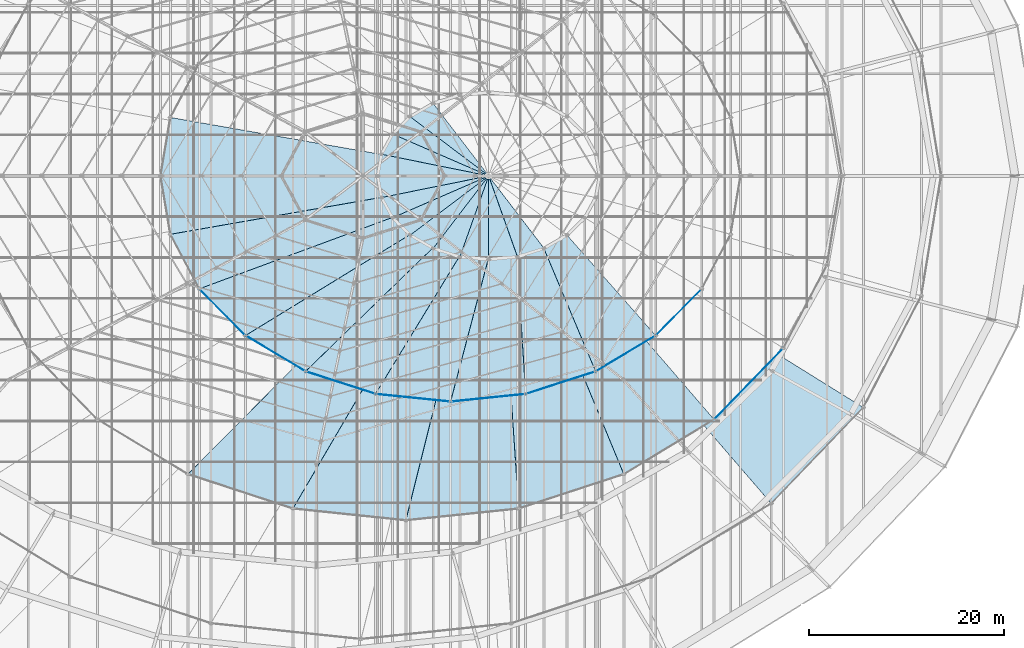
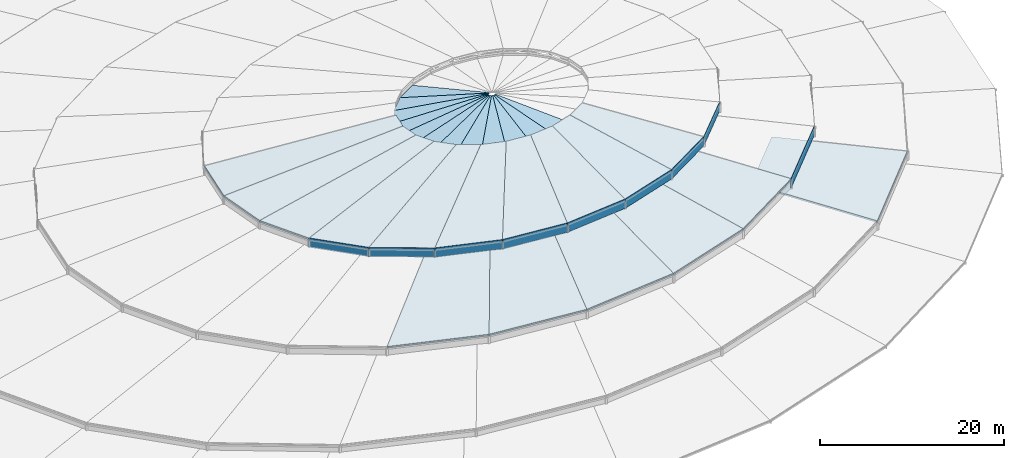
# One storey, part 143 of 184: 28 slabs, 9 plates.
"""IFC4 building model written with IfcOpenShell, lengths in metres."""

from ifc_helpers import new_model, si_unit, direction, frame, origin, origin_2d, place, context, subcontext, project, spatial, polyline, rectangle, outline, extrude, material, layer, layer_set, type_object, element, save


model = new_model("IFC4")

# Units and contexts
model_context = context("Model", 3, precision=1e-05, world=origin(), true_north=direction((0.0, 1.0)))
body_context = subcontext(model_context, "Body", "Model", "MODEL_VIEW")
ifc_project = project(units=[si_unit("LENGTHUNIT", "METRE"), si_unit("AREAUNIT", "SQUARE_METRE"), si_unit("VOLUMEUNIT", "CUBIC_METRE"), si_unit("PLANEANGLEUNIT", "RADIAN"), si_unit("MASSUNIT", "GRAM", prefix="KILO")], contexts=[model_context])

# Site, building, storey
site_placement = place(None, origin())
site = spatial("IfcSite", under=ifc_project, at=site_placement, CompositionType="ELEMENT")
building_placement = place(site_placement, origin())
building = spatial("IfcBuilding", under=site, at=building_placement, Name="Kalgoora Escarpment Arena", CompositionType="ELEMENT")
storey_placement = place(building_placement, frame((0.0, 0.0, 27.60009765625)))
storey = spatial("IfcBuildingStorey", under=building, at=storey_placement, Name="Roof Level", CompositionType="ELEMENT", Elevation=27.60009765625)

# Plates
ifc_material_1 = material(Name="Low-E double-glazed petal clerestory glass", Category="glass")
ifc_layer_1 = layer(ifc_material_1, 0.035888671875)
ifc_layer_set_1 = layer_set([ifc_layer_1], Name="PLT-PETAL-CLERESTORY")
plate_type = type_object("IfcPlateType", Name="PLT-PETAL-CLERESTORY", PredefinedType="USERDEFINED", material=ifc_layer_set_1)
plate_1_placement = place(storey_placement, frame((136.838134765625, 42.63427734375, 2.7099609375), z_axis=(0.0, 0.0, 1.0), x_axis=(0.696664434978, 0.717397145963, 0.0)))
element("IfcPlate", 1, at=plate_1_placement, inside=storey, type_object=plate_type, Name="Petal RP3 glazed clerestory collar panel S22", ObjectType="CLERESTORY PANEL", PredefinedType="USERDEFINED", context=body_context, shape_type="SweptSolid", body=[
    extrude(rectangle(XDim=10.372802734375, YDim=0.0400390625, at=origin_2d()), origin(), (0.0, 0.0, 1.0), 1.25),
])
plate_2_placement = place(storey_placement, frame((82.76025390625, 49.99755859375, 5.159912109375), z_axis=(0.0, 0.0, 1.0), x_axis=(0.702028770313, -0.712148583972, 0.0)))
element("IfcPlate", 2, at=plate_2_placement, inside=storey, type_object=plate_type, Name="Petal RP4 glazed clerestory collar panel S15", ObjectType="CLERESTORY PANEL", PredefinedType="USERDEFINED", context=body_context, shape_type="SweptSolid", body=[
    extrude(rectangle(XDim=6.84765625, YDim=0.0400390625, at=origin_2d()), origin(), (0.0, 0.0, 1.0), 1.25),
])
plate_3_placement = place(storey_placement, frame((88.214111328125, 45.751708984375, 5.159912109375), z_axis=(0.0, 0.0, 1.0), x_axis=(0.858512728225, -0.512792253721, 0.0)))
element("IfcPlate", 3, at=plate_3_placement, inside=storey, type_object=plate_type, Name="Petal RP4 glazed clerestory collar panel S16", ObjectType="CLERESTORY PANEL", PredefinedType="USERDEFINED", context=body_context, shape_type="SweptSolid", body=[
    extrude(rectangle(XDim=7.297119140625, YDim=0.0400390625, at=origin_2d()), origin(), (0.0, 0.0, 1.0), 1.25),
])
plate_4_placement = place(storey_placement, frame((94.8935546875, 42.749267578125, 5.159912109375), z_axis=(0.0, 0.0, 1.0), x_axis=(0.951755204978, -0.306858322026, 0.0)))
element("IfcPlate", 4, at=plate_4_placement, inside=storey, type_object=plate_type, Name="Petal RP4 glazed clerestory collar panel S17", ObjectType="CLERESTORY PANEL", PredefinedType="USERDEFINED", context=body_context, shape_type="SweptSolid", body=[
    extrude(rectangle(XDim=7.664794921875, YDim=0.0400390625, at=origin_2d()), origin(), (0.0, 0.0, 1.0), 1.25),
])
for number, where, z_axis, x_axis, name in (
    (5, (102.343505859375, 41.1953125, 5.159912109375), (0.0, 0.0, 1.0), (0.994792141762, -0.101924455795, 0.0), "Petal RP4 glazed clerestory collar panel S18"),
    (6, (110.056396484375, 41.1953125, 5.159912109375), (0.0, 0.0, 1.0), (0.994792141762, 0.101924455795, 0.0), "Petal RP4 glazed clerestory collar panel S19"),
):
    element("IfcPlate", number, at=place(storey_placement, frame(where, z_axis=z_axis, x_axis=x_axis)), inside=storey, type_object=plate_type, Name=name, ObjectType="CLERESTORY PANEL", PredefinedType="USERDEFINED", context=body_context, shape_type="SweptSolid", body=[
        extrude(rectangle(XDim=7.869384765625, YDim=0.0400390625, at=origin_2d()), origin(), (0.0, 0.0, 1.0), 1.25),
    ])
plate_5_placement = place(storey_placement, frame((117.50634765625, 42.749267578125, 5.159912109375), z_axis=(0.0, 0.0, 1.0), x_axis=(0.951755204978, 0.306858322026, 0.0)))
element("IfcPlate", 7, at=plate_5_placement, inside=storey, type_object=plate_type, Name="Petal RP4 glazed clerestory collar panel S20", ObjectType="CLERESTORY PANEL", PredefinedType="USERDEFINED", context=body_context, shape_type="SweptSolid", body=[
    extrude(rectangle(XDim=7.664794921875, YDim=0.0400390625, at=origin_2d()), origin(), (0.0, 0.0, 1.0), 1.25),
])
plate_6_placement = place(storey_placement, frame((124.185791015625, 45.751708984375, 5.159912109375), z_axis=(0.0, 0.0, 1.0), x_axis=(0.858512728225, 0.512792253721, 0.0)))
element("IfcPlate", 8, at=plate_6_placement, inside=storey, type_object=plate_type, Name="Petal RP4 glazed clerestory collar panel S21", ObjectType="CLERESTORY PANEL", PredefinedType="USERDEFINED", context=body_context, shape_type="SweptSolid", body=[
    extrude(rectangle(XDim=7.297119140625, YDim=0.0400390625, at=origin_2d()), origin(), (0.0, 0.0, 1.0), 1.25),
])
plate_7_placement = place(storey_placement, frame((129.6396484375, 49.99755859375, 5.159912109375), z_axis=(0.0, 0.0, 1.0), x_axis=(0.702028770313, 0.712148583972, 0.0)))
element("IfcPlate", 9, at=plate_7_placement, inside=storey, type_object=plate_type, Name="Petal RP4 glazed clerestory collar panel S22", ObjectType="CLERESTORY PANEL", PredefinedType="USERDEFINED", context=body_context, shape_type="SweptSolid", body=[
    extrude(rectangle(XDim=6.84765625, YDim=0.0400390625, at=origin_2d()), origin(), (0.0, 0.0, 1.0), 1.25),
])

# Slabs
ifc_material_2 = material(Name="White acoustic composite Concrete N40 (fc' 40 MPa)", Category="concrete")
ifc_layer_2 = layer(ifc_material_2, 0.179931640625)
ifc_layer_set_2 = layer_set([ifc_layer_2], Name="SLB-CROWN-180")
slab_type_1 = type_object("IfcSlabType", Name="SLB-CROWN-180", PredefinedType="ROOF", material=ifc_layer_set_2)
slab_1_placement = place(storey_placement, frame((104.409912109375, 71.44775390625, 6.75), z_axis=(-0.080317619716, 0.138770776921, 0.987062182153), x_axis=(-0.865443828447, -0.501005967613, 1.4790425e-05)))
element("IfcSlab", 10, at=slab_1_placement, inside=storey, type_object=slab_type_1, Name="Art Deco pitched crown dome sector 09", PredefinedType="ROOF", context=body_context, shape_type="SweptSolid", body=[
    extrude(outline(polyline([(0.0, 0.0), (2.727898737251544, 2.220446049250313e-16), (-1.0503144292743118, 9.044715398527952), (-1.158792923391847, 9.043454378046185), (0.0, 0.0)])), origin(), (0.0, 0.0, -1.0), 0.179931640625),
])
slab_2_placement = place(storey_placement, frame((102.049072265625, 70.0810546875, 6.75), z_axis=(-0.104821272177, 0.10663593928, 0.988757441111), x_axis=(-0.713135274723, -0.701026447388, 2.899545e-06)))
element("IfcSlab", 11, at=slab_2_placement, inside=storey, type_object=slab_type_1, Name="Art Deco pitched crown dome sector 10", PredefinedType="ROOF", context=body_context, shape_type="SweptSolid", body=[
    extrude(outline(polyline([(0.0, 0.0), (2.540567579935142, 0.0), (-1.330291859135439, 9.698490793871438), (-1.432135973702724, 9.696909295386057), (0.0, 0.0)])), origin(), (0.0, 0.0, -1.0), 0.179931640625),
])
slab_3_placement = place(storey_placement, frame((100.2373046875, 68.300048828125, 6.75), z_axis=(-0.122231700924, 0.067032517279, 0.990235352286), x_axis=(-0.481291922323, -0.876560368916, -7.1783168e-05)))
element("IfcSlab", 12, at=slab_3_placement, inside=storey, type_object=slab_type_1, Name="Art Deco pitched crown dome sector 11", PredefinedType="ROOF", context=body_context, shape_type="SweptSolid", body=[
    extrude(outline(polyline([(0.0, 0.0), (2.366329031236683, 3.3306690738754696e-16), (-0.8526747003294592, 10.400508982591598), (-0.9483406186283605, 10.399241245108486), (0.0, 0.0)])), origin(), (0.0, 0.0, -1.0), 0.179931640625),
])
slab_4_placement = place(storey_placement, frame((99.098388671875, 66.225830078125, 6.75), z_axis=(-0.13124082871, 0.022878618327, 0.991086481445), x_axis=(-0.171908029694, -0.985113003047, -2.3537677e-05)))
element("IfcSlab", 13, at=slab_4_placement, inside=storey, type_object=slab_type_1, Name="Art Deco pitched crown dome sector 12", PredefinedType="ROOF", context=body_context, shape_type="SweptSolid", body=[
    extrude(outline(polyline([(0.0, 0.0), (2.259467999029449, 5.551115123125783e-17), (0.3770493393468294, 10.883946391546935), (0.2851774814363707, 10.883530950543234), (0.0, 0.0)])), origin(), (0.0, 0.0, -1.0), 0.179931640625),
])
slab_5_placement = place(storey_placement, frame((98.7099609375, 64.0, 6.75), z_axis=(-0.13124082871, -0.022878618327, 0.991086481445), x_axis=(0.171908029694, -0.985113003047, 2.3537677e-05)))
element("IfcSlab", 14, at=slab_5_placement, inside=storey, type_object=slab_type_1, Name="Art Deco pitched crown dome sector 13", PredefinedType="ROOF", context=body_context, shape_type="SweptSolid", body=[
    extrude(outline(polyline([(0.0, 0.0), (2.259467999029449, -5.551115123125783e-17), (1.9742905175930783, 10.883530950543234), (1.8824186596826196, 10.883946391546935), (0.0, 0.0)])), origin(), (0.0, 0.0, -1.0), 0.179931640625),
])
slab_6_placement = place(storey_placement, frame((99.098388671875, 61.774169921875, 6.75), z_axis=(-0.122191429163, -0.06712242414, 0.990234232299), x_axis=(0.481303922258, -0.876553782589, -2.5449185e-05)))
element("IfcSlab", 15, at=slab_6_placement, inside=storey, type_object=slab_type_1, Name="Art Deco pitched crown dome sector 14", PredefinedType="ROOF", context=body_context, shape_type="SweptSolid", body=[
    extrude(outline(polyline([(0.0, 0.0), (2.3663290366726724, -1.1102230246251565e-16), (3.314669642250503, 10.399207210171307), (3.219003735043346, 10.400508982752186), (0.0, 0.0)])), origin(), (0.0, 0.0, -1.0), 0.179931640625),
])
slab_7_placement = place(storey_placement, frame((100.2373046875, 59.699951171875, 6.75), z_axis=(-0.104804010453, -0.106618400658, 0.98876116228), x_axis=(0.713135276234, -0.701026445851, -2.914284e-06)))
element("IfcSlab", 16, at=slab_7_placement, inside=storey, type_object=slab_type_1, Name="Art Deco pitched crown dome sector 15", PredefinedType="ROOF", context=body_context, shape_type="SweptSolid", body=[
    extrude(outline(polyline([(0.0, 0.0), (2.540567579935031, 2.220446049250313e-16), (3.972703553638039, 9.69687279273979), (3.8708594390705278, 9.698454291031826), (0.0, 0.0)])), origin(), (0.0, 0.0, -1.0), 0.179931640625),
])
slab_8_placement = place(storey_placement, frame((102.049072265625, 57.9189453125, 6.75), z_axis=(-0.080304434203, -0.138748023873, 0.987066453547), x_axis=(0.865443829201, -0.501005966311, -1.4802181e-05)))
element("IfcSlab", 17, at=slab_8_placement, inside=storey, type_object=slab_type_1, Name="Art Deco pitched crown dome sector 16", PredefinedType="ROOF", context=body_context, shape_type="SweptSolid", body=[
    extrude(outline(polyline([(0.0, 0.0), (2.72789873725106, 2.220446049250313e-16), (3.886691660644081, 9.043415237808743), (3.7782131665255587, 9.044676257157743), (0.0, 0.0)])), origin(), (0.0, 0.0, -1.0), 0.179931640625),
])
slab_9_placement = place(storey_placement, frame((104.409912109375, 56.55224609375, 6.75), z_axis=(-0.050414213677, -0.161379849618, 0.985603851046), x_axis=(0.954489584971, -0.298244249, -1.0927478e-05)))
element("IfcSlab", 18, at=slab_9_placement, inside=storey, type_object=slab_type_1, Name="Art Deco pitched crown dome sector 17", PredefinedType="ROOF", context=body_context, shape_type="SweptSolid", body=[
    extrude(outline(polyline([(0.0, 0.0), (2.8806111372509124, 1.1102230246251565e-16), (3.2089700062980753, 8.574746347781835), (3.095019674630396, 8.575996813281083), (0.0, 0.0)])), origin(), (0.0, 0.0, -1.0), 0.179931640625),
])
slab_10_placement = place(storey_placement, frame((107.159423828125, 55.693115234375, 6.75), z_axis=(-0.017218418231, -0.173065765325, 0.984759750876), x_axis=(0.995098598315, -0.098887710166, 2.0255302e-05)))
element("IfcSlab", 19, at=slab_10_placement, inside=storey, type_object=slab_type_1, Name="Art Deco pitched crown dome sector 18", PredefinedType="ROOF", context=body_context, shape_type="SweptSolid", body=[
    extrude(outline(polyline([(0.0, 0.0), (2.9652162595558185, 0.0), (2.149422019880792, 8.336626305383662), (2.0321118080173757, 8.336985306276022), (0.0, 0.0)])), origin(), (0.0, 0.0, -1.0), 0.179931640625),
])
slab_11_placement = place(storey_placement, frame((110.110107421875, 55.39990234375, 6.75), z_axis=(0.017221113335, -0.173065300574, 0.984759785426), x_axis=(0.995097770522, 0.098896039547, -2.1547058e-05)))
element("IfcSlab", 20, at=slab_11_placement, inside=storey, type_object=slab_type_1, Name="Art Deco pitched crown dome sector 19", PredefinedType="ROOF", context=body_context, shape_type="SweptSolid", body=[
    extrude(outline(polyline([(0.0, 0.0), (2.9649733154914615, 0.0), (0.9329283551932719, 8.337001599866932), (0.8158610840807851, 8.336619763914834), (0.0, 0.0)])), origin(), (0.0, 0.0, -1.0), 0.179931640625),
])
slab_12_placement = place(storey_placement, frame((113.060546875, 55.693115234375, 6.75), z_axis=(0.050422472453, -0.161406241235, 0.98559910692), x_axis=(0.954489584472, 0.298244250599, 1.0915878e-05)))
element("IfcSlab", 21, at=slab_12_placement, inside=storey, type_object=slab_type_1, Name="Art Deco pitched crown dome sector 20", PredefinedType="ROOF", context=body_context, shape_type="SweptSolid", body=[
    extrude(outline(polyline([(0.0, 0.0), (2.8806111372512864, 0.0), (-0.21440853737945686, 8.576038093722683), (-0.32835886904637307, 8.574787627292384), (0.0, 0.0)])), origin(), (0.0, 0.0, -1.0), 0.179931640625),
])
ifc_material_3 = material(Name="White acoustic composite Concrete N40 (fc' 40 MPa)", Category="concrete")
ifc_layer_3 = layer(ifc_material_3, 0.205078125)
ifc_layer_set_3 = layer_set([ifc_layer_3], Name="SLB-PETAL-RP2")
slab_type_2 = type_object("IfcSlabType", Name="SLB-PETAL-RP2", PredefinedType="ROOF", material=ifc_layer_set_3)
slab_13_placement = place(storey_placement, frame((139.1435546875, 30.341796875, 1.449951171875), z_axis=(0.079023606154, -0.075932162824, 0.993976647774), x_axis=(0.69282184548, 0.721108792338, 6.106362e-06)))
element("IfcSlab", 22, at=slab_13_placement, inside=storey, type_object=slab_type_2, Name="Shifted white roof petal RP2 sector 22", PredefinedType="ROOF", context=body_context, shape_type="SweptSolid", body=[
    extrude(outline(polyline([(0.0, 0.0), (13.67081919464042, -8.881784197001252e-16), (10.60445508137482, 14.537519387137387), (1.3551594650895835, 14.598944952743135), (0.0, 0.0)])), origin(), (0.0, 0.0, -1.0), 0.205078125),
])
ifc_material_4 = material(Name="White acoustic composite Concrete N40 (fc' 40 MPa)", Category="concrete")
ifc_layer_4 = layer(ifc_material_4, 0.215087890625)
ifc_layer_set_4 = layer_set([ifc_layer_4], Name="SLB-PETAL-RP3")
slab_type_3 = type_object("IfcSlabType", Name="SLB-PETAL-RP3", PredefinedType="ROOF", material=ifc_layer_set_4)
slab_14_placement = place(storey_placement, frame((79.199951171875, 33.3427734375, 3.89990234375), z_axis=(-0.029124959495, -0.08900227817, 0.995605509836), x_axis=(0.95038531477, -0.3110751572, -6.492407e-06)))
element("IfcSlab", 23, at=slab_14_placement, inside=storey, type_object=slab_type_3, Name="Shifted white roof petal RP3 sector 17", PredefinedType="ROOF", context=body_context, shape_type="SweptSolid", body=[
    extrude(outline(polyline([(0.0, 0.0), (11.369003321040955, 0.0), (15.071180993489095, 17.142362978072846), (8.542176768674194, 17.086374193299765), (0.0, 0.0)])), origin(), (0.0, 0.0, -1.0), 0.215087890625),
])
slab_15_placement = place(storey_placement, frame((90.0048828125, 29.80615234375, 3.89990234375), z_axis=(-0.010356964308, -0.099585565011, 0.994975099453), x_axis=(0.99463414618, -0.103454894767, -1.229977e-06)))
element("IfcSlab", 24, at=slab_15_placement, inside=storey, type_object=slab_type_3, Name="Shifted white roof petal RP3 sector 18", PredefinedType="ROOF", context=body_context, shape_type="SweptSolid", body=[
    extrude(outline(polyline([(0.0, 0.0), (11.657768876665612, 0.0), (13.93281779488911, 16.00104876366487), (7.2213461514648865, 15.981315784984092), (0.0, 0.0)])), origin(), (0.0, 0.0, -1.0), 0.215087890625),
])
slab_16_placement = place(storey_placement, frame((101.60009765625, 28.60009765625, 3.89990234375), z_axis=(0.010899695666, -0.104728303766, 0.994441139045), x_axis=(0.994633840438, 0.103457833998, -6.277591e-06)))
element("IfcSlab", 25, at=slab_16_placement, inside=storey, type_object=slab_type_3, Name="Shifted white roof petal RP3 sector 19", PredefinedType="ROOF", context=body_context, shape_type="SweptSolid", body=[
    extrude(outline(polyline([(0.0, 0.0), (11.657526045870636, -2.220446049250313e-16), (12.214319509219955, 15.176339235864335), (5.5028479077803505, 15.196111996821873), (0.0, 0.0)])), origin(), (0.0, 0.0, -1.0), 0.215087890625),
])
slab_17_placement = place(storey_placement, frame((113.195068359375, 29.80615234375, 3.89990234375), z_axis=(0.033811247249, -0.10329731433, 0.994075683443), x_axis=(0.950385110685, 0.311075780781, -4.15715e-07)))
element("IfcSlab", 26, at=slab_17_placement, inside=storey, type_object=slab_type_3, Name="Shifted white roof petal RP3 sector 20", PredefinedType="ROOF", context=body_context, shape_type="SweptSolid", body=[
    extrude(outline(polyline([(0.0, 0.0), (11.36900332128169, -4.440892098500626e-16), (10.258903196166637, 14.665535841718807), (3.7298989719714553, 14.721622603446953), (0.0, 0.0)])), origin(), (0.0, 0.0, -1.0), 0.215087890625),
])
slab_18_placement = place(storey_placement, frame((124.0, 33.3427734375, 3.89990234375), z_axis=(0.057066679915, -0.094097165695, 0.993926112672), x_axis=(0.85509474519, 0.518471770334, -1.075939e-05)))
element("IfcSlab", 27, at=slab_18_placement, inside=storey, type_object=slab_type_3, Name="Shifted white roof petal RP3 sector 21", PredefinedType="ROOF", context=body_context, shape_type="SweptSolid", body=[
    extrude(outline(polyline([(0.0, 0.0), (10.850626391600112, 8.881784197001252e-16), (8.425053886585767, 14.458546014621746), (2.2244866839177955, 14.538962066839831), (0.0, 0.0)])), origin(), (0.0, 0.0, -1.0), 0.215087890625),
])
ifc_material_5 = material(Name="White acoustic composite Concrete N40 (fc' 40 MPa)", Category="concrete")
ifc_layer_5 = layer(ifc_material_5, 0.22509765625)
ifc_layer_set_5 = layer_set([ifc_layer_5], Name="SLB-PETAL-RP4")
slab_type_4 = type_object("IfcSlabType", Name="SLB-PETAL-RP4", PredefinedType="ROOF", material=ifc_layer_set_5)
slab_19_placement = place(storey_placement, frame((77.415283203125, 70.004638671875, 6.349853515625), z_axis=(-0.0620380762, 0.010477307369, 0.998018788967), x_axis=(-0.166731575123, -0.986002323367, -1.3082674e-05)))
element("IfcSlab", 28, at=slab_19_placement, inside=storey, type_object=slab_type_4, Name="Shifted white roof petal RP4 sector 12", PredefinedType="ROOF", context=body_context, shape_type="SweptSolid", body=[
    extrude(outline(polyline([(0.0, 0.0), (6.089883731483633, -1.1102230246251565e-16), (2.3367360423373897, 22.238977011901778), (0.1294723231395464, 22.252773272862), (0.0, 0.0)])), origin(), (0.0, 0.0, -1.0), 0.22509765625),
])
slab_20_placement = place(storey_placement, frame((76.39990234375, 64.0, 6.349853515625), z_axis=(-0.062073251158, -0.010513107297, 0.998016225352), x_axis=(0.166733401734, -0.98600201444, -1.6292972e-05)))
element("IfcSlab", 29, at=slab_20_placement, inside=storey, type_object=slab_type_4, Name="Shifted white roof petal RP4 sector 13", PredefinedType="ROOF", context=body_context, shape_type="SweptSolid", body=[
    extrude(outline(polyline([(0.0, 0.0), (6.089883731195336, 2.220446049250313e-16), (5.960411408626255, 22.252819368841923), (3.753147688747324, 22.23903847388207), (0.0, 0.0)])), origin(), (0.0, 0.0, -1.0), 0.22509765625),
])
slab_21_placement = place(storey_placement, frame((77.415283203125, 57.995361328125, 6.349853515625), z_axis=(-0.058409691419, -0.031103537195, 0.997808036609), x_axis=(0.469705703279, -0.882823058008, -2.3606379e-05)))
element("IfcSlab", 30, at=slab_21_placement, inside=storey, type_object=slab_type_4, Name="Shifted white roof petal RP4 sector 14", PredefinedType="ROOF", context=body_context, shape_type="SweptSolid", body=[
    extrude(outline(polyline([(0.0, 0.0), (6.338137942446455, 0.0), (9.20768484877622, 21.19474980173852), (6.893640229387205, 21.158459437953493), (0.0, 0.0)])), origin(), (0.0, 0.0, -1.0), 0.22509765625),
])
slab_22_placement = place(storey_placement, frame((80.392333984375, 52.39990234375, 6.349853515625), z_axis=(-0.051120776992, -0.050413935957, 0.997419220399), x_axis=(0.701986717926, -0.712190036101, -1.8243493e-05)))
element("IfcSlab", 31, at=slab_22_placement, inside=storey, type_object=slab_type_4, Name="Shifted white roof petal RP4 sector 15", PredefinedType="ROOF", context=body_context, shape_type="SweptSolid", body=[
    extrude(outline(polyline([(0.0, 0.0), (6.746347232620025, 4.440892098500626e-16), (11.270667299669155, 19.548362473220816), (8.78208060032969, 19.501810714060287), (0.0, 0.0)])), origin(), (0.0, 0.0, -1.0), 0.22509765625),
])
slab_23_placement = place(storey_placement, frame((85.128173828125, 47.59521484375, 6.349853515625), z_axis=(-0.040362463393, -0.067568802593, 0.996897852573), x_axis=(0.858480227949, -0.512846661504, -2.064462e-06)))
element("IfcSlab", 32, at=slab_23_placement, inside=storey, type_object=slab_type_4, Name="Shifted white roof petal RP4 sector 16", PredefinedType="ROOF", context=body_context, shape_type="SweptSolid", body=[
    extrude(outline(polyline([(0.0, 0.0), (7.189304307761856, 0.0), (11.956564909083843, 17.833264738608214), (9.28062102188949, 17.78957906176623), (0.0, 0.0)])), origin(), (0.0, 0.0, -1.0), 0.22509765625),
])
slab_24_placement = place(storey_placement, frame((91.300048828125, 43.908203125, 6.349853515625), z_axis=(-0.026325777473, -0.081694498707, 0.9963096719), x_axis=(0.951741659714, -0.306900330534, -1.6791476e-05)))
element("IfcSlab", 33, at=slab_24_placement, inside=storey, type_object=slab_type_4, Name="Shifted white roof petal RP4 sector 17", PredefinedType="ROOF", context=body_context, shape_type="SweptSolid", body=[
    extrude(outline(polyline([(0.0, 0.0), (7.551691298363111, 4.440892098500626e-16), (11.467203848436139, 16.343432170568583), (8.638862541987875, 16.31295729922988), (0.0, 0.0)])), origin(), (0.0, 0.0, -1.0), 0.22509765625),
])
slab_25_placement = place(storey_placement, frame((98.4873046875, 41.590576171875, 6.349853515625), z_axis=(-0.009404089671, -0.091783632487, 0.995734566993), x_axis=(0.99478818924, -0.101963025337, -3.474329e-06)))
element("IfcSlab", 34, at=slab_25_placement, inside=storey, type_object=slab_type_4, Name="Shifted white roof petal RP4 sector 18", PredefinedType="ROOF", context=body_context, shape_type="SweptSolid", body=[
    extrude(outline(polyline([(0.0, 0.0), (7.753054190022579, -1.1102230246251565e-16), (10.133768823996979, 15.1863791220169), (7.220776731507392, 15.175393057173954), (0.0, 0.0)])), origin(), (0.0, 0.0, -1.0), 0.22509765625),
])
slab_26_placement = place(storey_placement, frame((106.199951171875, 40.800048828125, 6.349853515625), z_axis=(0.009933091625, -0.096772231871, 0.995256986325), x_axis=(0.994788340719, 0.101961546495, -1.4345357e-05)))
element("IfcSlab", 35, at=slab_26_placement, inside=storey, type_object=slab_type_4, Name="Shifted white roof petal RP4 sector 19", PredefinedType="ROOF", context=body_context, shape_type="SweptSolid", body=[
    extrude(outline(polyline([(0.0, 0.0), (7.753297057506594, 1.1102230246251565e-16), (8.311542890137078, 14.381529753179922), (5.39879362901008, 14.392505158271693), (0.0, 0.0)])), origin(), (0.0, 0.0, -1.0), 0.22509765625),
])
slab_27_placement = place(storey_placement, frame((113.912841796875, 41.590576171875, 6.349853515625), z_axis=(0.030804482022, -0.09549416421, 0.994953239348), x_axis=(0.951740890246, 0.306902717033, -1.0519777e-05)))
element("IfcSlab", 36, at=slab_27_placement, inside=storey, type_object=slab_type_4, Name="Shifted white roof petal RP4 sector 20", PredefinedType="ROOF", context=body_context, shape_type="SweptSolid", body=[
    extrude(outline(polyline([(0.0, 0.0), (7.55169129901352, 0.0), (6.355277766909127, 13.923101121410525), (3.526936462005277, 13.953643699285204), (0.0, 0.0)])), origin(), (0.0, 0.0, -1.0), 0.22509765625),
])
slab_28_placement = place(storey_placement, frame((121.10009765625, 43.908203125, 6.349853515625), z_axis=(0.051903689893, -0.086840438477, 0.994869210108), x_axis=(0.85847013899, 0.512863549143, -2.0577971e-05)))
element("IfcSlab", 37, at=slab_28_placement, inside=storey, type_object=slab_type_4, Name="Shifted white roof petal RP4 sector 21", PredefinedType="ROOF", context=body_context, shape_type="SweptSolid", body=[
    extrude(outline(polyline([(0.0, 0.0), (7.189094717450727, 0.0), (4.622086130717415, 13.794709249996414), (1.9461429988237402, 13.838553217898758), (0.0, 0.0)])), origin(), (0.0, 0.0, -1.0), 0.22509765625),
])

save(model, "model.ifc")
